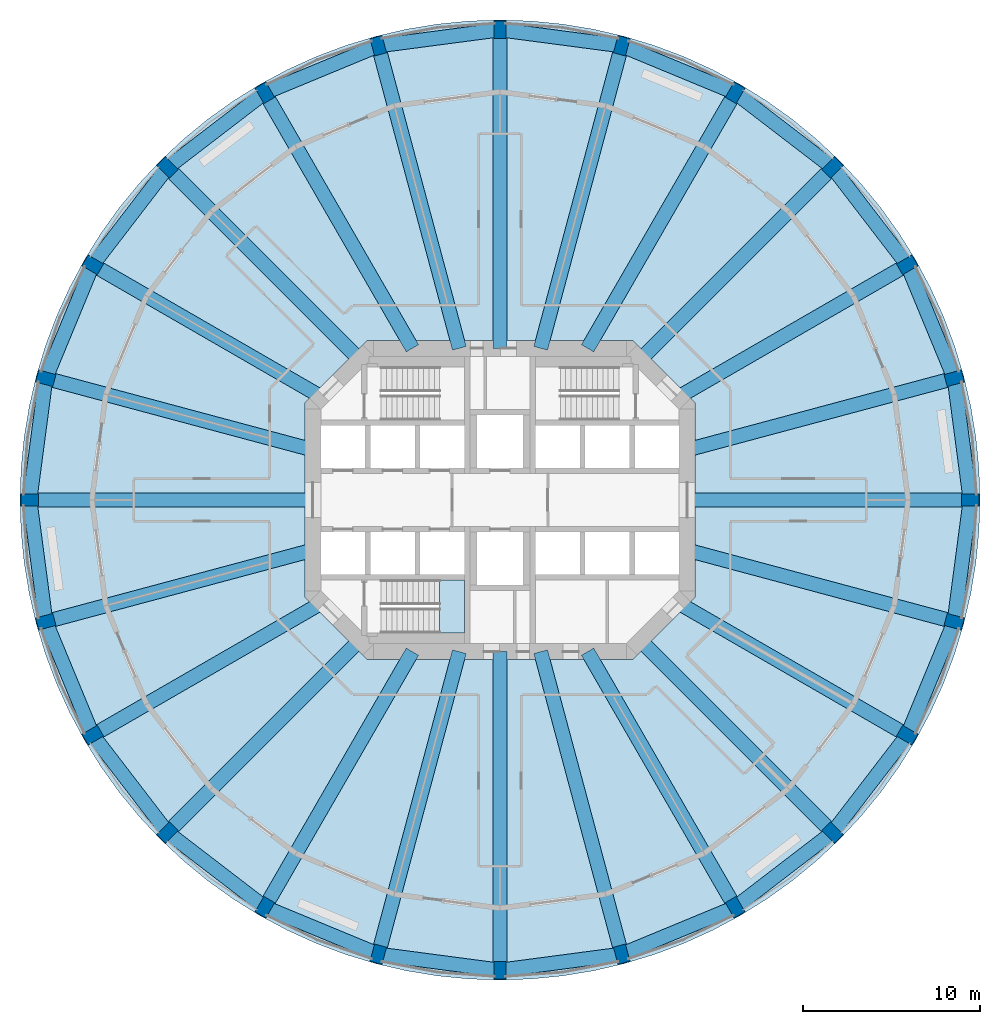
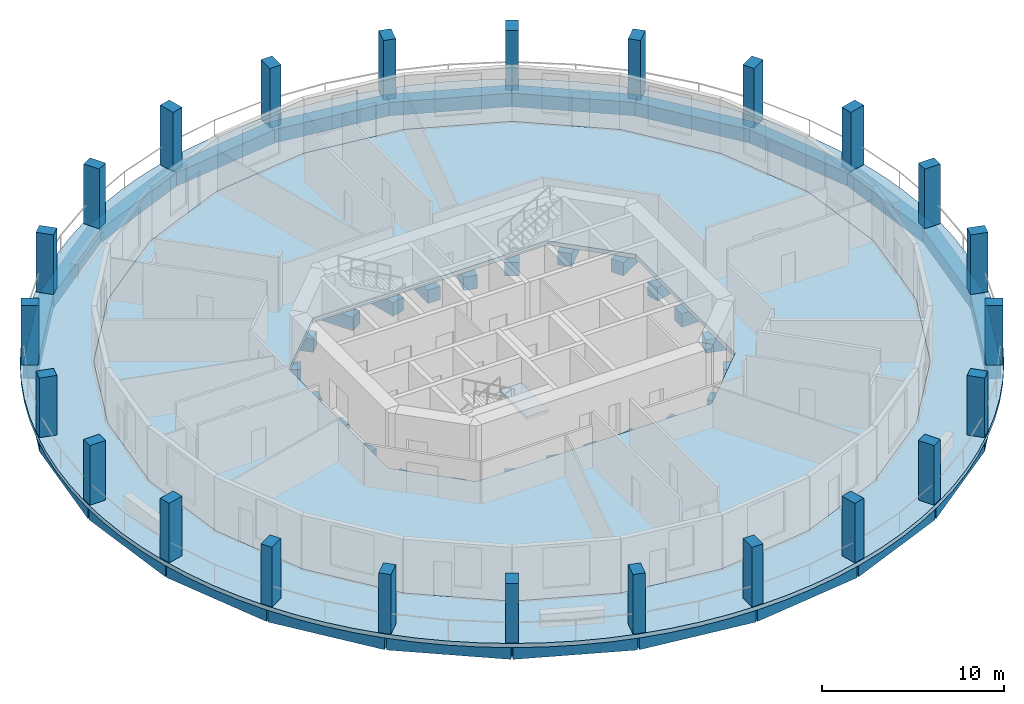
# One storey, part 1 of 9: 48 beams, 24 columns, 3 slabs, 1 element without a shape of its own.
"""IFC4 building model written with IfcOpenShell, lengths in metres."""

from ifc_helpers import new_model, si_unit, direction, frame, origin, origin_2d, place, context, subcontext, project, spatial, polyline, rectangle, outline, extrude, material, layer, layer_set, material_profile, profile_set, type_object, element, aggregate, save


model = new_model("IFC4")

# Units and contexts
model_context = context("Model", 3, precision=1e-05, world=origin(), true_north=direction((0.0, 1.0)))
body_context = subcontext(model_context, "Body", "Model", "MODEL_VIEW")
ifc_project = project(units=[si_unit("LENGTHUNIT", "METRE"), si_unit("AREAUNIT", "SQUARE_METRE"), si_unit("VOLUMEUNIT", "CUBIC_METRE"), si_unit("PLANEANGLEUNIT", "RADIAN"), si_unit("MASSUNIT", "GRAM", prefix="KILO")], contexts=[model_context])

# Site, building, storey
site_placement = place(None, origin())
site = spatial("IfcSite", under=ifc_project, at=site_placement, CompositionType="ELEMENT")
building_placement = place(site_placement, origin())
building = spatial("IfcBuilding", under=site, at=building_placement, Name="Torre Triforio", CompositionType="ELEMENT")
storey_placement = place(building_placement, frame((0.0, 0.0, 35.0)))
storey = spatial("IfcBuildingStorey", under=building, at=storey_placement, Name="L06", CompositionType="ELEMENT", Elevation=35.0)

# Columns
ifc_material_1 = material(Name="Concrete C70", Category="concrete")
ifc_material_profile_1 = material_profile(ifc_material_1, rectangle(XDim=0.699951171875, YDim=1.0, at=origin_2d()), Name="RC 700x1000")
ifc_profile_set_1 = profile_set([ifc_material_profile_1], Name="Concrete C70")
column_type = type_object("IfcColumnType", Name="Pier RC 700x1000 C70", PredefinedType="COLUMN", material=ifc_profile_set_1)
for number, where, z_axis, x_axis, name in (
    (1, (26.5, 0.0, 0.0), (0.0, 0.0, 1.0), (0.0, 1.0, 0.0), "COL.R.L06.00"),
    (2, (25.596923828125, 6.858642578125, 0.0), (0.0, 0.0, 1.0), (-0.258819045103, 0.965925826289, 0.0), "COL.R.L06.01"),
    (3, (22.94970703125, 13.25, 0.0), (0.0, 0.0, 1.0), (-0.5, 0.866025403784, 0.0), "COL.R.L06.02"),
    (4, (18.73828125, 18.73828125, 0.0), (0.0, 0.0, 1.0), (-0.707106781187, 0.707106781187, 0.0), "COL.R.L06.03"),
    (5, (13.25, 22.94970703125, 0.0), (0.0, 0.0, 1.0), (-0.866025403784, 0.5, 0.0), "COL.R.L06.04"),
    (6, (6.858642578125, 25.596923828125, 0.0), (0.0, 0.0, 1.0), (-0.965925826289, 0.258819045103, 0.0), "COL.R.L06.05"),
    (7, (0.0, 26.5, 0.0), (0.0, 0.0, 1.0), (-1.0, 0.0, 0.0), "COL.R.L06.06"),
    (8, (-6.858642578125, 25.596923828125, 0.0), (0.0, 0.0, 1.0), (-0.965925826289, -0.258819045103, 0.0), "COL.R.L06.07"),
    (9, (-13.25, 22.94970703125, 0.0), (0.0, 0.0, 1.0), (-0.866025403784, -0.5, 0.0), "COL.R.L06.08"),
    (10, (-18.73828125, 18.73828125, 0.0), (0.0, 0.0, 1.0), (-0.707106781187, -0.707106781187, 0.0), "COL.R.L06.09"),
    (11, (-22.94970703125, 13.25, 0.0), (0.0, 0.0, 1.0), (-0.5, -0.866025403784, 0.0), "COL.R.L06.10"),
    (12, (-25.596923828125, 6.858642578125, 0.0), (0.0, 0.0, 1.0), (-0.258819045103, -0.965925826289, 0.0), "COL.R.L06.11"),
    (13, (-26.5, 0.0, 0.0), (0.0, 0.0, 1.0), (0.0, -1.0, 0.0), "COL.R.L06.12"),
    (14, (-25.596923828125, -6.858642578125, 0.0), (0.0, 0.0, 1.0), (0.258819045103, -0.965925826289, 0.0), "COL.R.L06.13"),
    (15, (-22.94970703125, -13.25, 0.0), (0.0, 0.0, 1.0), (0.5, -0.866025403784, 0.0), "COL.R.L06.14"),
    (16, (-18.73828125, -18.73828125, 0.0), (0.0, 0.0, 1.0), (0.707106781187, -0.707106781187, 0.0), "COL.R.L06.15"),
    (17, (-13.25, -22.94970703125, 0.0), (0.0, 0.0, 1.0), (0.866025403784, -0.5, 0.0), "COL.R.L06.16"),
    (18, (-6.858642578125, -25.596923828125, 0.0), (0.0, 0.0, 1.0), (0.965925826289, -0.258819045103, 0.0), "COL.R.L06.17"),
    (19, (0.0, -26.5, 0.0), (0.0, 0.0, 1.0), (1.0, 0.0, 0.0), "COL.R.L06.18"),
    (20, (6.858642578125, -25.596923828125, 0.0), (0.0, 0.0, 1.0), (0.965925826289, 0.258819045103, 0.0), "COL.R.L06.19"),
    (21, (13.25, -22.94970703125, 0.0), (0.0, 0.0, 1.0), (0.866025403784, 0.5, 0.0), "COL.R.L06.20"),
    (22, (18.73828125, -18.73828125, 0.0), (0.0, 0.0, 1.0), (0.707106781187, 0.707106781187, 0.0), "COL.R.L06.21"),
    (23, (22.94970703125, -13.25, 0.0), (0.0, 0.0, 1.0), (0.5, 0.866025403784, 0.0), "COL.R.L06.22"),
    (24, (25.596923828125, -6.858642578125, 0.0), (0.0, 0.0, 1.0), (0.258819045103, 0.965925826289, 0.0), "COL.R.L06.23"),
):
    element("IfcColumn", number, at=place(storey_placement, frame(where, z_axis=z_axis, x_axis=x_axis)), inside=storey, type_object=column_type, Name=name, PredefinedType="COLUMN", context=body_context, shape_type="SweptSolid", body=[
        extrude(rectangle(XDim=0.699951171875, YDim=1.0, at=origin_2d()), origin(), (0.0, 0.0, 1.0), 4.0),
    ])

# Beams
ifc_material_2 = material(Name="Concrete C50", Category="concrete")
ifc_material_profile_2 = material_profile(ifc_material_2, rectangle(XDim=0.800048828125, YDim=0.89990234375, at=origin_2d()), Name="RC 800x900")
ifc_profile_set_2 = profile_set([ifc_material_profile_2], Name="Concrete C50")
beam_type_1 = type_object("IfcBeamType", Name="Radial beam RC 800x900 C50", PredefinedType="BEAM", material=ifc_profile_set_2)
beam_1_placement = place(storey_placement, frame((10.550048828125, 0.0, -0.72998046875), z_axis=(1.0, 0.0, 0.0), x_axis=(0.0, 1.0, 0.0)))
element("IfcBeam", 25, at=beam_1_placement, inside=storey, type_object=beam_type_1, Name="BM.R.L06.00", PredefinedType="BEAM", context=body_context, shape_type="SweptSolid", body=[
    extrude(rectangle(XDim=0.800048828125, YDim=0.89990234375, at=origin_2d()), origin(), (0.0, 0.0, 1.0), 15.949951171875),
])
beam_2_placement = place(storey_placement, frame((10.550048828125, 2.826904296875, -0.72998046875), z_axis=(0.965926784764, 0.258815467997, 0.0), x_axis=(-0.258815467997, 0.965926784764, 0.0)))
element("IfcBeam", 26, at=beam_2_placement, inside=storey, type_object=beam_type_1, Name="BM.R.L06.01", PredefinedType="BEAM", context=body_context, shape_type="SweptSolid", body=[
    extrude(rectangle(XDim=0.800048828125, YDim=0.89990234375, at=origin_2d()), origin(), (0.0, 0.0, 1.0), 15.57763671875),
])
beam_3_placement = place(storey_placement, frame((10.039794921875, 5.796630859375, -0.72998046875), z_axis=(0.866030402573, 0.499991341745, 0.0), x_axis=(-0.499991341745, 0.866030402573, 0.0)))
element("IfcBeam", 27, at=beam_3_placement, inside=storey, type_object=beam_type_1, Name="BM.R.L06.02", PredefinedType="BEAM", context=body_context, shape_type="SweptSolid", body=[
    extrude(rectangle(XDim=0.800048828125, YDim=0.89990234375, at=origin_2d()), origin(), (0.0, 0.0, 1.0), 14.906982421875),
])
beam_4_placement = place(storey_placement, frame((7.918212890625, 7.918212890625, -0.72998046875), z_axis=(0.707106781187, 0.707106781187, 0.0), x_axis=(-0.707106781187, 0.707106781187, 0.0)))
element("IfcBeam", 28, at=beam_4_placement, inside=storey, type_object=beam_type_1, Name="BM.R.L06.03", PredefinedType="BEAM", context=body_context, shape_type="SweptSolid", body=[
    extrude(rectangle(XDim=0.800048828125, YDim=0.89990234375, at=origin_2d()), origin(), (0.0, 0.0, 1.0), 15.302001953125),
])
beam_5_placement = place(storey_placement, frame((4.936279296875, 8.550048828125, -0.72998046875), z_axis=(0.500003345241, 0.8660234724, 0.0), x_axis=(-0.8660234724, 0.500003345241, 0.0)))
element("IfcBeam", 29, at=beam_5_placement, inside=storey, type_object=beam_type_1, Name="BM.R.L06.04", PredefinedType="BEAM", context=body_context, shape_type="SweptSolid", body=[
    extrude(rectangle(XDim=0.800048828125, YDim=0.89990234375, at=origin_2d()), origin(), (0.0, 0.0, 1.0), 16.62744140625),
])
beam_6_placement = place(storey_placement, frame((2.291015625, 8.550048828125, -0.72998046875), z_axis=(0.258815374176, 0.965926809903, 0.0), x_axis=(-0.965926809903, 0.258815374176, 0.0)))
element("IfcBeam", 30, at=beam_6_placement, inside=storey, type_object=beam_type_1, Name="BM.R.L06.05", PredefinedType="BEAM", context=body_context, shape_type="SweptSolid", body=[
    extrude(rectangle(XDim=0.800048828125, YDim=0.89990234375, at=origin_2d()), origin(), (0.0, 0.0, 1.0), 17.648193359375),
])
beam_7_placement = place(storey_placement, frame((0.0, 8.550048828125, -0.72998046875), z_axis=(0.0, 1.0, 0.0), x_axis=(-1.0, 0.0, 0.0)))
element("IfcBeam", 31, at=beam_7_placement, inside=storey, type_object=beam_type_1, Name="BM.R.L06.06", PredefinedType="BEAM", context=body_context, shape_type="SweptSolid", body=[
    extrude(rectangle(XDim=0.800048828125, YDim=0.89990234375, at=origin_2d()), origin(), (0.0, 0.0, 1.0), 17.949951171875),
])
beam_8_placement = place(storey_placement, frame((-2.291015625, 8.550048828125, -0.72998046875), z_axis=(-0.258815374176, 0.965926809903, 0.0), x_axis=(-0.965926809903, -0.258815374176, 0.0)))
element("IfcBeam", 32, at=beam_8_placement, inside=storey, type_object=beam_type_1, Name="BM.R.L06.07", PredefinedType="BEAM", context=body_context, shape_type="SweptSolid", body=[
    extrude(rectangle(XDim=0.800048828125, YDim=0.89990234375, at=origin_2d()), origin(), (0.0, 0.0, 1.0), 17.648193359375),
])
beam_9_placement = place(storey_placement, frame((-4.936279296875, 8.550048828125, -0.72998046875), z_axis=(-0.500003345241, 0.8660234724, 0.0), x_axis=(-0.8660234724, -0.500003345241, 0.0)))
element("IfcBeam", 33, at=beam_9_placement, inside=storey, type_object=beam_type_1, Name="BM.R.L06.08", PredefinedType="BEAM", context=body_context, shape_type="SweptSolid", body=[
    extrude(rectangle(XDim=0.800048828125, YDim=0.89990234375, at=origin_2d()), origin(), (0.0, 0.0, 1.0), 16.62744140625),
])
beam_10_placement = place(storey_placement, frame((-7.918212890625, 7.918212890625, -0.72998046875), z_axis=(-0.707106781187, 0.707106781187, 0.0), x_axis=(-0.707106781187, -0.707106781187, 0.0)))
element("IfcBeam", 34, at=beam_10_placement, inside=storey, type_object=beam_type_1, Name="BM.R.L06.09", PredefinedType="BEAM", context=body_context, shape_type="SweptSolid", body=[
    extrude(rectangle(XDim=0.800048828125, YDim=0.89990234375, at=origin_2d()), origin(), (0.0, 0.0, 1.0), 15.302001953125),
])
beam_11_placement = place(storey_placement, frame((-10.039794921875, 5.796630859375, -0.72998046875), z_axis=(-0.866030402573, 0.499991341745, 0.0), x_axis=(-0.499991341745, -0.866030402573, 0.0)))
element("IfcBeam", 35, at=beam_11_placement, inside=storey, type_object=beam_type_1, Name="BM.R.L06.10", PredefinedType="BEAM", context=body_context, shape_type="SweptSolid", body=[
    extrude(rectangle(XDim=0.800048828125, YDim=0.89990234375, at=origin_2d()), origin(), (0.0, 0.0, 1.0), 14.906982421875),
])
beam_12_placement = place(storey_placement, frame((-10.550048828125, 2.826904296875, -0.72998046875), z_axis=(-0.965926784764, 0.258815467997, 0.0), x_axis=(-0.258815467997, -0.965926784764, 0.0)))
element("IfcBeam", 36, at=beam_12_placement, inside=storey, type_object=beam_type_1, Name="BM.R.L06.11", PredefinedType="BEAM", context=body_context, shape_type="SweptSolid", body=[
    extrude(rectangle(XDim=0.800048828125, YDim=0.89990234375, at=origin_2d()), origin(), (0.0, 0.0, 1.0), 15.57763671875),
])
beam_13_placement = place(storey_placement, frame((-10.550048828125, 0.0, -0.72998046875), z_axis=(-1.0, 0.0, 0.0), x_axis=(0.0, -1.0, 0.0)))
element("IfcBeam", 37, at=beam_13_placement, inside=storey, type_object=beam_type_1, Name="BM.R.L06.12", PredefinedType="BEAM", context=body_context, shape_type="SweptSolid", body=[
    extrude(rectangle(XDim=0.800048828125, YDim=0.89990234375, at=origin_2d()), origin(), (0.0, 0.0, 1.0), 15.949951171875),
])
beam_14_placement = place(storey_placement, frame((-10.550048828125, -2.826904296875, -0.72998046875), z_axis=(-0.965926784764, -0.258815467997, 0.0), x_axis=(0.258815467997, -0.965926784764, 0.0)))
element("IfcBeam", 38, at=beam_14_placement, inside=storey, type_object=beam_type_1, Name="BM.R.L06.13", PredefinedType="BEAM", context=body_context, shape_type="SweptSolid", body=[
    extrude(rectangle(XDim=0.800048828125, YDim=0.89990234375, at=origin_2d()), origin(), (0.0, 0.0, 1.0), 15.57763671875),
])
beam_15_placement = place(storey_placement, frame((-10.039794921875, -5.796630859375, -0.72998046875), z_axis=(-0.866030402573, -0.499991341745, 0.0), x_axis=(0.499991341745, -0.866030402573, 0.0)))
element("IfcBeam", 39, at=beam_15_placement, inside=storey, type_object=beam_type_1, Name="BM.R.L06.14", PredefinedType="BEAM", context=body_context, shape_type="SweptSolid", body=[
    extrude(rectangle(XDim=0.800048828125, YDim=0.89990234375, at=origin_2d()), origin(), (0.0, 0.0, 1.0), 14.906982421875),
])
beam_16_placement = place(storey_placement, frame((-7.918212890625, -7.918212890625, -0.72998046875), z_axis=(-0.707106781187, -0.707106781187, 0.0), x_axis=(0.707106781187, -0.707106781187, 0.0)))
element("IfcBeam", 40, at=beam_16_placement, inside=storey, type_object=beam_type_1, Name="BM.R.L06.15", PredefinedType="BEAM", context=body_context, shape_type="SweptSolid", body=[
    extrude(rectangle(XDim=0.800048828125, YDim=0.89990234375, at=origin_2d()), origin(), (0.0, 0.0, 1.0), 15.302001953125),
])
beam_17_placement = place(storey_placement, frame((-4.936279296875, -8.550048828125, -0.72998046875), z_axis=(-0.500003345241, -0.8660234724, 0.0), x_axis=(0.8660234724, -0.500003345241, 0.0)))
element("IfcBeam", 41, at=beam_17_placement, inside=storey, type_object=beam_type_1, Name="BM.R.L06.16", PredefinedType="BEAM", context=body_context, shape_type="SweptSolid", body=[
    extrude(rectangle(XDim=0.800048828125, YDim=0.89990234375, at=origin_2d()), origin(), (0.0, 0.0, 1.0), 16.62744140625),
])
beam_18_placement = place(storey_placement, frame((-2.291015625, -8.550048828125, -0.72998046875), z_axis=(-0.258815374176, -0.965926809903, 0.0), x_axis=(0.965926809903, -0.258815374176, 0.0)))
element("IfcBeam", 42, at=beam_18_placement, inside=storey, type_object=beam_type_1, Name="BM.R.L06.17", PredefinedType="BEAM", context=body_context, shape_type="SweptSolid", body=[
    extrude(rectangle(XDim=0.800048828125, YDim=0.89990234375, at=origin_2d()), origin(), (0.0, 0.0, 1.0), 17.648193359375),
])
beam_19_placement = place(storey_placement, frame((0.0, -8.550048828125, -0.72998046875), z_axis=(0.0, -1.0, 0.0), x_axis=(1.0, 0.0, 0.0)))
element("IfcBeam", 43, at=beam_19_placement, inside=storey, type_object=beam_type_1, Name="BM.R.L06.18", PredefinedType="BEAM", context=body_context, shape_type="SweptSolid", body=[
    extrude(rectangle(XDim=0.800048828125, YDim=0.89990234375, at=origin_2d()), origin(), (0.0, 0.0, 1.0), 17.949951171875),
])
beam_20_placement = place(storey_placement, frame((2.291015625, -8.550048828125, -0.72998046875), z_axis=(0.258815374176, -0.965926809903, 0.0), x_axis=(0.965926809903, 0.258815374176, 0.0)))
element("IfcBeam", 44, at=beam_20_placement, inside=storey, type_object=beam_type_1, Name="BM.R.L06.19", PredefinedType="BEAM", context=body_context, shape_type="SweptSolid", body=[
    extrude(rectangle(XDim=0.800048828125, YDim=0.89990234375, at=origin_2d()), origin(), (0.0, 0.0, 1.0), 17.648193359375),
])
beam_21_placement = place(storey_placement, frame((4.936279296875, -8.550048828125, -0.72998046875), z_axis=(0.500003345241, -0.8660234724, 0.0), x_axis=(0.8660234724, 0.500003345241, 0.0)))
element("IfcBeam", 45, at=beam_21_placement, inside=storey, type_object=beam_type_1, Name="BM.R.L06.20", PredefinedType="BEAM", context=body_context, shape_type="SweptSolid", body=[
    extrude(rectangle(XDim=0.800048828125, YDim=0.89990234375, at=origin_2d()), origin(), (0.0, 0.0, 1.0), 16.62744140625),
])
beam_22_placement = place(storey_placement, frame((7.918212890625, -7.918212890625, -0.72998046875), z_axis=(0.707106781187, -0.707106781187, 0.0), x_axis=(0.707106781187, 0.707106781187, 0.0)))
element("IfcBeam", 46, at=beam_22_placement, inside=storey, type_object=beam_type_1, Name="BM.R.L06.21", PredefinedType="BEAM", context=body_context, shape_type="SweptSolid", body=[
    extrude(rectangle(XDim=0.800048828125, YDim=0.89990234375, at=origin_2d()), origin(), (0.0, 0.0, 1.0), 15.302001953125),
])
beam_23_placement = place(storey_placement, frame((10.039794921875, -5.796630859375, -0.72998046875), z_axis=(0.866030402573, -0.499991341745, 0.0), x_axis=(0.499991341745, 0.866030402573, 0.0)))
element("IfcBeam", 47, at=beam_23_placement, inside=storey, type_object=beam_type_1, Name="BM.R.L06.22", PredefinedType="BEAM", context=body_context, shape_type="SweptSolid", body=[
    extrude(rectangle(XDim=0.800048828125, YDim=0.89990234375, at=origin_2d()), origin(), (0.0, 0.0, 1.0), 14.906982421875),
])
beam_24_placement = place(storey_placement, frame((10.550048828125, -2.826904296875, -0.72998046875), z_axis=(0.965926784764, -0.258815467997, 0.0), x_axis=(0.258815467997, 0.965926784764, 0.0)))
element("IfcBeam", 48, at=beam_24_placement, inside=storey, type_object=beam_type_1, Name="BM.R.L06.23", PredefinedType="BEAM", context=body_context, shape_type="SweptSolid", body=[
    extrude(rectangle(XDim=0.800048828125, YDim=0.89990234375, at=origin_2d()), origin(), (0.0, 0.0, 1.0), 15.57763671875),
])
ifc_material_profile_3 = material_profile(ifc_material_2, rectangle(XDim=0.800048828125, YDim=0.89990234375, at=origin_2d()), Name="RC 800x900")
ifc_profile_set_3 = profile_set([ifc_material_profile_3], Name="Concrete C50")
beam_type_2 = type_object("IfcBeamType", Name="Spandrel beam RC 800x900 C50", PredefinedType="SPANDREL", material=ifc_profile_set_3)
beam_25_placement = place(storey_placement, frame((26.5, 0.0, -0.72998046875), z_axis=(-0.130543064996, 0.991442639885, 0.0), x_axis=(-0.991442639885, -0.130543064996, 0.0)))
element("IfcBeam", 49, at=beam_25_placement, inside=storey, type_object=beam_type_2, Name="BM.S.L06.00", PredefinedType="SPANDREL", context=body_context, shape_type="SweptSolid", body=[
    extrude(rectangle(XDim=0.800048828125, YDim=0.89990234375, at=origin_2d()), origin(), (0.0, 0.0, 1.0), 6.917724609375),
])
for number, where, z_axis, x_axis, name in (
    (50, (25.596923828125, 6.858642578125, -0.72998046875), (-0.382662441128, 0.923888227087, 0.0), (-0.923888227087, -0.382662441128, 0.0), "BM.S.L06.01"),
    (51, (22.94970703125, 13.25, -0.72998046875), (-0.608772297796, 0.793345000259, 0.0), (-0.793345000259, -0.608772297796, 0.0), "BM.S.L06.02"),
    (52, (18.73828125, 18.73828125, -0.72998046875), (-0.793345000259, 0.608772297796, 0.0), (-0.608772297796, -0.793345000259, 0.0), "BM.S.L06.03"),
    (53, (13.25, 22.94970703125, -0.72998046875), (-0.923888227087, 0.382662441128, 0.0), (-0.382662441128, -0.923888227087, 0.0), "BM.S.L06.04"),
):
    element("IfcBeam", number, at=place(storey_placement, frame(where, z_axis=z_axis, x_axis=x_axis)), inside=storey, type_object=beam_type_2, Name=name, PredefinedType="SPANDREL", context=body_context, shape_type="SweptSolid", body=[
        extrude(rectangle(XDim=0.800048828125, YDim=0.89990234375, at=origin_2d()), origin(), (0.0, 0.0, 1.0), 6.91796875),
    ])
for number, where, z_axis, x_axis, name in (
    (54, (6.858642578125, 25.596923828125, -0.72998046875), (-0.991442639885, 0.130543064996, 0.0), (-0.130543064996, -0.991442639885, 0.0), "BM.S.L06.05"),
    (55, (0.0, 26.5, -0.72998046875), (-0.991442639885, -0.130543064996, 0.0), (0.130543064996, -0.991442639885, 0.0), "BM.S.L06.06"),
):
    element("IfcBeam", number, at=place(storey_placement, frame(where, z_axis=z_axis, x_axis=x_axis)), inside=storey, type_object=beam_type_2, Name=name, PredefinedType="SPANDREL", context=body_context, shape_type="SweptSolid", body=[
        extrude(rectangle(XDim=0.800048828125, YDim=0.89990234375, at=origin_2d()), origin(), (0.0, 0.0, 1.0), 6.917724609375),
    ])
for number, where, z_axis, x_axis, name in (
    (56, (-6.858642578125, 25.596923828125, -0.72998046875), (-0.923888227087, -0.382662441128, 0.0), (0.382662441128, -0.923888227087, 0.0), "BM.S.L06.07"),
    (57, (-13.25, 22.94970703125, -0.72998046875), (-0.793345000259, -0.608772297796, 0.0), (0.608772297796, -0.793345000259, 0.0), "BM.S.L06.08"),
    (58, (-18.73828125, 18.73828125, -0.72998046875), (-0.608772297796, -0.793345000259, 0.0), (0.793345000259, -0.608772297796, 0.0), "BM.S.L06.09"),
    (59, (-22.94970703125, 13.25, -0.72998046875), (-0.382662441128, -0.923888227087, 0.0), (0.923888227087, -0.382662441128, 0.0), "BM.S.L06.10"),
):
    element("IfcBeam", number, at=place(storey_placement, frame(where, z_axis=z_axis, x_axis=x_axis)), inside=storey, type_object=beam_type_2, Name=name, PredefinedType="SPANDREL", context=body_context, shape_type="SweptSolid", body=[
        extrude(rectangle(XDim=0.800048828125, YDim=0.89990234375, at=origin_2d()), origin(), (0.0, 0.0, 1.0), 6.91796875),
    ])
for number, where, z_axis, x_axis, name in (
    (60, (-25.596923828125, 6.858642578125, -0.72998046875), (-0.130543064996, -0.991442639885, 0.0), (0.991442639885, -0.130543064996, 0.0), "BM.S.L06.11"),
    (61, (-26.5, 0.0, -0.72998046875), (0.130543064996, -0.991442639885, 0.0), (0.991442639885, 0.130543064996, 0.0), "BM.S.L06.12"),
):
    element("IfcBeam", number, at=place(storey_placement, frame(where, z_axis=z_axis, x_axis=x_axis)), inside=storey, type_object=beam_type_2, Name=name, PredefinedType="SPANDREL", context=body_context, shape_type="SweptSolid", body=[
        extrude(rectangle(XDim=0.800048828125, YDim=0.89990234375, at=origin_2d()), origin(), (0.0, 0.0, 1.0), 6.917724609375),
    ])
for number, where, z_axis, x_axis, name in (
    (62, (-25.596923828125, -6.858642578125, -0.72998046875), (0.382662441128, -0.923888227087, 0.0), (0.923888227087, 0.382662441128, 0.0), "BM.S.L06.13"),
    (63, (-22.94970703125, -13.25, -0.72998046875), (0.608772297796, -0.793345000259, 0.0), (0.793345000259, 0.608772297796, 0.0), "BM.S.L06.14"),
    (64, (-18.73828125, -18.73828125, -0.72998046875), (0.793345000259, -0.608772297796, 0.0), (0.608772297796, 0.793345000259, 0.0), "BM.S.L06.15"),
    (65, (-13.25, -22.94970703125, -0.72998046875), (0.923888227087, -0.382662441128, 0.0), (0.382662441128, 0.923888227087, 0.0), "BM.S.L06.16"),
):
    element("IfcBeam", number, at=place(storey_placement, frame(where, z_axis=z_axis, x_axis=x_axis)), inside=storey, type_object=beam_type_2, Name=name, PredefinedType="SPANDREL", context=body_context, shape_type="SweptSolid", body=[
        extrude(rectangle(XDim=0.800048828125, YDim=0.89990234375, at=origin_2d()), origin(), (0.0, 0.0, 1.0), 6.91796875),
    ])
for number, where, z_axis, x_axis, name in (
    (66, (-6.858642578125, -25.596923828125, -0.72998046875), (0.991442639885, -0.130543064996, 0.0), (0.130543064996, 0.991442639885, 0.0), "BM.S.L06.17"),
    (67, (0.0, -26.5, -0.72998046875), (0.991442639885, 0.130543064996, 0.0), (-0.130543064996, 0.991442639885, 0.0), "BM.S.L06.18"),
):
    element("IfcBeam", number, at=place(storey_placement, frame(where, z_axis=z_axis, x_axis=x_axis)), inside=storey, type_object=beam_type_2, Name=name, PredefinedType="SPANDREL", context=body_context, shape_type="SweptSolid", body=[
        extrude(rectangle(XDim=0.800048828125, YDim=0.89990234375, at=origin_2d()), origin(), (0.0, 0.0, 1.0), 6.917724609375),
    ])
for number, where, z_axis, x_axis, name in (
    (68, (6.858642578125, -25.596923828125, -0.72998046875), (0.923888227087, 0.382662441128, 0.0), (-0.382662441128, 0.923888227087, 0.0), "BM.S.L06.19"),
    (69, (13.25, -22.94970703125, -0.72998046875), (0.793345000259, 0.608772297796, 0.0), (-0.608772297796, 0.793345000259, 0.0), "BM.S.L06.20"),
    (70, (18.73828125, -18.73828125, -0.72998046875), (0.608772297796, 0.793345000259, 0.0), (-0.793345000259, 0.608772297796, 0.0), "BM.S.L06.21"),
    (71, (22.94970703125, -13.25, -0.72998046875), (0.382662441128, 0.923888227087, 0.0), (-0.923888227087, 0.382662441128, 0.0), "BM.S.L06.22"),
):
    element("IfcBeam", number, at=place(storey_placement, frame(where, z_axis=z_axis, x_axis=x_axis)), inside=storey, type_object=beam_type_2, Name=name, PredefinedType="SPANDREL", context=body_context, shape_type="SweptSolid", body=[
        extrude(rectangle(XDim=0.800048828125, YDim=0.89990234375, at=origin_2d()), origin(), (0.0, 0.0, 1.0), 6.91796875),
    ])
beam_26_placement = place(storey_placement, frame((25.596923828125, -6.858642578125, -0.72998046875), z_axis=(0.130543064996, 0.991442639885, 0.0), x_axis=(-0.991442639885, 0.130543064996, 0.0)))
element("IfcBeam", 72, at=beam_26_placement, inside=storey, type_object=beam_type_2, Name="BM.S.L06.23", PredefinedType="SPANDREL", context=body_context, shape_type="SweptSolid", body=[
    extrude(rectangle(XDim=0.800048828125, YDim=0.89990234375, at=origin_2d()), origin(), (0.0, 0.0, 1.0), 6.917724609375),
])

# Slabs
ifc_layer_1 = layer(ifc_material_2, 0.280029296875)
ifc_layer_set_1 = layer_set([ifc_layer_1], Name="Concrete C50")
slab_type_1 = type_object("IfcSlabType", Name="Floor slab 280 C50", PredefinedType="FLOOR", material=ifc_layer_set_1)
slab_1_placement = place(storey_placement, frame((0.0, 0.0, -0.280029296875)))
element("IfcSlab", 73, at=slab_1_placement, inside=storey, type_object=slab_type_1, Name="SL.L06", PredefinedType="FLOOR", context=body_context, shape_type="SweptSolid", body=[
    extrude(outline(polyline([(19.918701171875, -11.5), (22.21630859375, -5.952880859375), (23.0, 0.0), (22.21630859375, 5.952880859375), (19.918701171875, 11.5), (16.263427734375, 16.263427734375), (11.5, 19.918701171875), (5.952880859375, 22.21630859375), (0.0, 23.0), (-5.952880859375, 22.21630859375), (-11.5, 19.918701171875), (-16.263427734375, 16.263427734375), (-19.918701171875, 11.5), (-22.21630859375, 5.952880859375), (-23.0, 0.0), (-22.21630859375, -5.952880859375), (-19.918701171875, -11.5), (-16.263427734375, -16.263427734375), (-11.5, -19.918701171875), (-5.952880859375, -22.21630859375), (0.0, -23.0), (5.952880859375, -22.21630859375), (11.5, -19.918701171875), (16.263427734375, -16.263427734375), (19.918701171875, -11.5)]), holes=[polyline([(11.0, 5.472900390625), (11.0, -5.472900390625), (7.472900390625, -9.0), (-7.472900390625, -9.0), (-11.0, -5.472900390625), (-11.0, 5.472900390625), (-7.472900390625, 9.0), (7.472900390625, 9.0), (11.0, 5.472900390625)])]), origin(), (0.0, 0.0, 1.0), 0.280029296875),
])
ifc_layer_2 = layer(ifc_material_2, 0.280029296875)
ifc_layer_set_2 = layer_set([ifc_layer_2], Name="Concrete C50")
slab_type_2 = type_object("IfcSlabType", Name="Loggia slab 280 C50", PredefinedType="FLOOR", material=ifc_layer_set_2)
slab_2_placement = place(storey_placement, frame((0.0, 0.0, -0.280029296875)))
element("IfcSlab", 74, at=slab_2_placement, inside=storey, type_object=slab_type_2, Name="SL.L06.LG", PredefinedType="FLOOR", context=body_context, shape_type="SweptSolid", body=[
    extrude(outline(polyline([(26.9921875, -1.76904296875), (27.050048828125, 0.0), (26.9921875, 1.76904296875), (26.818603515625, 3.53076171875), (26.5302734375, 5.277099609375), (26.128173828125, 7.0009765625), (25.614501953125, 8.69482421875), (24.990966796875, 10.3515625), (24.260498046875, 11.9638671875), (23.426025390625, 13.52490234375), (22.4912109375, 15.028076171875), (21.460205078125, 16.467041015625), (20.337158203125, 17.835205078125), (19.127197265625, 19.127197265625), (17.835205078125, 20.337158203125), (16.467041015625, 21.460205078125), (15.028076171875, 22.4912109375), (13.52490234375, 23.426025390625), (11.9638671875, 24.260498046875), (10.3515625, 24.990966796875), (8.69482421875, 25.614501953125), (7.0009765625, 26.128173828125), (5.277099609375, 26.5302734375), (3.53076171875, 26.818603515625), (1.76904296875, 26.9921875), (0.0, 27.050048828125), (-1.76904296875, 26.9921875), (-3.53076171875, 26.818603515625), (-5.277099609375, 26.5302734375), (-7.0009765625, 26.128173828125), (-8.69482421875, 25.614501953125), (-10.3515625, 24.990966796875), (-11.9638671875, 24.260498046875), (-13.52490234375, 23.426025390625), (-15.028076171875, 22.4912109375), (-16.467041015625, 21.460205078125), (-17.835205078125, 20.337158203125), (-19.127197265625, 19.127197265625), (-20.337158203125, 17.835205078125), (-21.460205078125, 16.467041015625), (-22.4912109375, 15.028076171875), (-23.426025390625, 13.52490234375), (-24.260498046875, 11.9638671875), (-24.990966796875, 10.3515625), (-25.614501953125, 8.69482421875), (-26.128173828125, 7.0009765625), (-26.5302734375, 5.277099609375), (-26.818603515625, 3.53076171875), (-26.9921875, 1.76904296875), (-27.050048828125, 0.0), (-26.9921875, -1.76904296875), (-26.818603515625, -3.53076171875), (-26.5302734375, -5.277099609375), (-26.128173828125, -7.0009765625), (-25.614501953125, -8.69482421875), (-24.990966796875, -10.3515625), (-24.260498046875, -11.9638671875), (-23.426025390625, -13.52490234375), (-22.4912109375, -15.028076171875), (-21.460205078125, -16.467041015625), (-20.337158203125, -17.835205078125), (-19.127197265625, -19.127197265625), (-17.835205078125, -20.337158203125), (-16.467041015625, -21.460205078125), (-15.028076171875, -22.4912109375), (-13.52490234375, -23.426025390625), (-11.9638671875, -24.260498046875), (-10.3515625, -24.990966796875), (-8.69482421875, -25.614501953125), (-7.0009765625, -26.128173828125), (-5.277099609375, -26.5302734375), (-3.53076171875, -26.818603515625), (-1.76904296875, -26.9921875), (0.0, -27.050048828125), (1.76904296875, -26.9921875), (3.53076171875, -26.818603515625), (5.277099609375, -26.5302734375), (7.0009765625, -26.128173828125), (8.69482421875, -25.614501953125), (10.3515625, -24.990966796875), (11.9638671875, -24.260498046875), (13.52490234375, -23.426025390625), (15.028076171875, -22.4912109375), (16.467041015625, -21.460205078125), (17.835205078125, -20.337158203125), (19.127197265625, -19.127197265625), (20.337158203125, -17.835205078125), (21.460205078125, -16.467041015625), (22.4912109375, -15.028076171875), (23.426025390625, -13.52490234375), (24.260498046875, -11.9638671875), (24.990966796875, -10.3515625), (25.614501953125, -8.69482421875), (26.128173828125, -7.0009765625), (26.5302734375, -5.277099609375), (26.818603515625, -3.53076171875), (26.9921875, -1.76904296875)]), holes=[polyline([(22.21630859375, 5.952880859375), (23.0, 0.0), (22.21630859375, -5.952880859375), (19.918701171875, -11.5), (16.263427734375, -16.263427734375), (11.5, -19.918701171875), (5.952880859375, -22.21630859375), (0.0, -23.0), (-5.952880859375, -22.21630859375), (-11.5, -19.918701171875), (-16.263427734375, -16.263427734375), (-19.918701171875, -11.5), (-22.21630859375, -5.952880859375), (-23.0, 0.0), (-22.21630859375, 5.952880859375), (-19.918701171875, 11.5), (-16.263427734375, 16.263427734375), (-11.5, 19.918701171875), (-5.952880859375, 22.21630859375), (0.0, 23.0), (5.952880859375, 22.21630859375), (11.5, 19.918701171875), (16.263427734375, 16.263427734375), (19.918701171875, 11.5), (22.21630859375, 5.952880859375)])]), origin(), (0.0, 0.0, 1.0), 0.280029296875),
])

# Stair, slab
ifc_material_3 = material(Name="Concrete C40", Category="concrete")
stair_type = type_object("IfcStairType", Name="STAIR HALF-TURN", PredefinedType="HALF_TURN_STAIR", material=ifc_material_3)
stair_placement = place(storey_placement, origin())
stair = element("IfcStair", 75, at=stair_placement, inside=storey, type_object=stair_type, Name="Exit stair 3", PredefinedType="HALF_TURN_STAIR")
ifc_layer_3 = layer(ifc_material_3, 0.199951171875)
ifc_layer_set_3 = layer_set([ifc_layer_3], Name="Concrete C40")
slab_type_3 = type_object("IfcSlabType", Name="STAIR LANDING 200", PredefinedType="LANDING", material=ifc_layer_set_3)
slab_3_placement = place(storey_placement, frame((0.0, 0.0, 1.800048828125)))
slab_3 = element("IfcSlab", 76, at=slab_3_placement, type_object=slab_type_3, Name="ST3 landing 1", PredefinedType="LANDING", context=body_context, shape_type="SweptSolid", body=[
    extrude(outline(polyline([(-2.0, -7.5), (-2.0, -4.5), (-3.39990234375, -4.5), (-3.39990234375, -7.5), (-2.0, -7.5)])), origin(), (0.0, 0.0, 1.0), 0.199951171875),
])
aggregate(stair, [slab_3])

save(model, "model.ifc")
